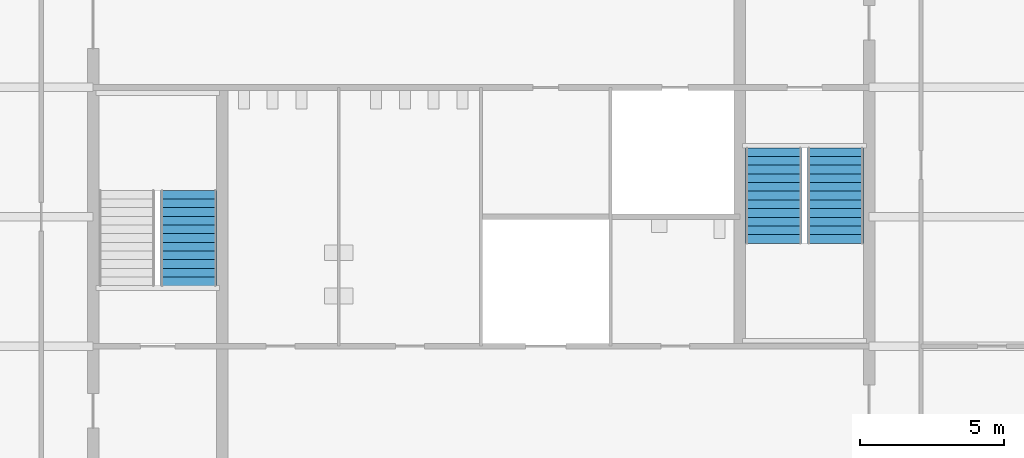
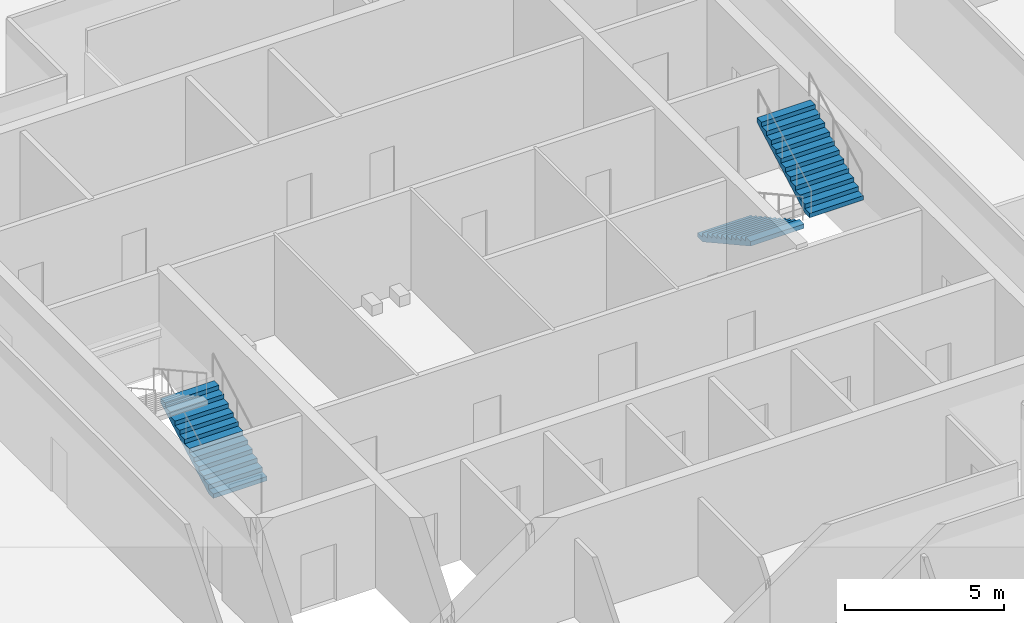
# One storey, part 12 of 14: 3 stair flights, 2 elements without a shape of their own.
"""IFC4 building model written with IfcOpenShell, lengths in metres."""

from ifc_helpers import new_model, si_unit, direction, frame, origin, place, context, subcontext, project, spatial, polyline, outline, extrude, material, type_object, element, aggregate, save


model = new_model("IFC4")

# Units and contexts
model_context = context("Model", 3, precision=1e-05, world=origin(), true_north=direction((0.0, 1.0)))
body_context = subcontext(model_context, "Body", "Model", "MODEL_VIEW")
ifc_project = project(units=[si_unit("LENGTHUNIT", "METRE"), si_unit("AREAUNIT", "SQUARE_METRE"), si_unit("VOLUMEUNIT", "CUBIC_METRE"), si_unit("PLANEANGLEUNIT", "RADIAN"), si_unit("MASSUNIT", "GRAM", prefix="KILO")], contexts=[model_context])

# Site, building, storey
site_placement = place(None, origin())
site = spatial("IfcSite", under=ifc_project, at=site_placement, CompositionType="ELEMENT")
building_placement = place(site_placement, origin())
building = spatial("IfcBuilding", under=site, at=building_placement, Name="Corais Broadcast Tower", CompositionType="ELEMENT")
storey_placement = place(building_placement, frame((0.0, 0.0, 230.60009765625)))
storey = spatial("IfcBuildingStorey", under=building, at=storey_placement, Name="L53", CompositionType="ELEMENT", Elevation=230.60009765625)

# Stair, stair flight
ifc_material_1 = material(Name="Concrete C30/37", Category="concrete")
stair_type = type_object("IfcStairType", Name="Half-turn stair 4000", PredefinedType="HALF_TURN_STAIR", material=ifc_material_1)
stair_1_placement = place(storey_placement, origin())
stair_1 = element("IfcStair", 1, at=stair_1_placement, inside=storey, type_object=stair_type, Name="Stair A L53", PredefinedType="HALF_TURN_STAIR")
ifc_material_2 = material(Name="Concrete C30/37", Category="concrete")
stair_flight_type = type_object("IfcStairFlightType", Name="Stair flight 4000", PredefinedType="STRAIGHT", material=ifc_material_2)
stair_flight_1_placement = place(storey_placement, frame((16.824951171875, 24.60009765625, 0.0), z_axis=(0.0, 0.0, 1.0), x_axis=(0.0, 1.0, 0.0)))
stair_flight_1 = element("IfcStairFlight", 2, at=stair_flight_1_placement, type_object=stair_flight_type, Name="STA flight 1", NumberOfRisers=12, NumberOfTreads=11, PredefinedType="STRAIGHT", RiserHeight=0.166666667, TreadLength=0.302, context=body_context, shape_type="SweptSolid", body=[
    extrude(outline(polyline([(0.0, 0.0), (0.0, 0.166748046875), (0.302001953125, 0.166748046875), (0.302001953125, 0.333251953125), (0.60400390625, 0.333251953125), (0.60400390625, 0.5), (0.906005859375, 0.5), (0.906005859375, 0.666748046875), (1.2080078125, 0.666748046875), (1.2080078125, 0.833251953125), (1.510009765625, 0.833251953125), (1.510009765625, 1.0), (1.81201171875, 1.0), (1.81201171875, 1.166748046875), (2.114013671875, 1.166748046875), (2.114013671875, 1.333251953125), (2.416015625, 1.333251953125), (2.416015625, 1.5), (2.718017578125, 1.5), (2.718017578125, 1.666748046875), (3.02001953125, 1.666748046875), (3.02001953125, 1.833251953125), (3.322021484375, 1.833251953125), (3.322021484375, 2.0), (3.322021484375, 1.662109375), (0.310302734375, 0.0), (0.0, 0.0)])), frame((0.0, 0.97509765625, 0.0), z_axis=(0.0, -1.0, 0.0), x_axis=(1.0, 0.0, 0.0)), (0.0, 0.0, 1.0), 1.949951171875),
])
aggregate(stair_1, [stair_flight_1])

# Stair, stair flights
stair_2_placement = place(storey_placement, origin())
stair_2 = element("IfcStair", 3, at=stair_2_placement, inside=storey, type_object=stair_type, Name="Stair B L53", PredefinedType="HALF_TURN_STAIR")
stair_flight_2_placement = place(storey_placement, frame((37.175048828125, 29.39990234375, 0.0), z_axis=(0.0, 0.0, 1.0), x_axis=(0.0, -1.0, 0.0)))
stair_flight_2 = element("IfcStairFlight", 4, at=stair_flight_2_placement, type_object=stair_flight_type, Name="STB flight 1", NumberOfRisers=12, NumberOfTreads=11, PredefinedType="STRAIGHT", RiserHeight=0.166666667, TreadLength=0.302, context=body_context, shape_type="SweptSolid", body=[
    extrude(outline(polyline([(0.0, 0.0), (0.0, 0.166748046875), (0.302001953125, 0.166748046875), (0.302001953125, 0.333251953125), (0.60400390625, 0.333251953125), (0.60400390625, 0.5), (0.906005859375, 0.5), (0.906005859375, 0.666748046875), (1.2080078125, 0.666748046875), (1.2080078125, 0.833251953125), (1.510009765625, 0.833251953125), (1.510009765625, 1.0), (1.81201171875, 1.0), (1.81201171875, 1.166748046875), (2.114013671875, 1.166748046875), (2.114013671875, 1.333251953125), (2.416015625, 1.333251953125), (2.416015625, 1.5), (2.718017578125, 1.5), (2.718017578125, 1.666748046875), (3.02001953125, 1.666748046875), (3.02001953125, 1.833251953125), (3.322021484375, 1.833251953125), (3.322021484375, 2.0), (3.322021484375, 1.662109375), (0.310302734375, 0.0), (0.0, 0.0)])), frame((0.0, 0.97509765625, 0.0), z_axis=(0.0, -1.0, 0.0), x_axis=(1.0, 0.0, 0.0)), (0.0, 0.0, 1.0), 1.949951171875),
])
stair_flight_3_placement = place(storey_placement, frame((39.324951171875, 26.077880859375, 2.0), z_axis=(0.0, 0.0, 1.0), x_axis=(0.0, 1.0, 0.0)))
stair_flight_3 = element("IfcStairFlight", 5, at=stair_flight_3_placement, type_object=stair_flight_type, Name="STB flight 2", NumberOfRisers=12, NumberOfTreads=11, PredefinedType="STRAIGHT", RiserHeight=0.166666667, TreadLength=0.302, context=body_context, shape_type="SweptSolid", body=[
    extrude(outline(polyline([(0.0, 0.0), (0.0, 0.166748046875), (0.302001953125, 0.166748046875), (0.302001953125, 0.333251953125), (0.60400390625, 0.333251953125), (0.60400390625, 0.5), (0.906005859375, 0.5), (0.906005859375, 0.666748046875), (1.2080078125, 0.666748046875), (1.2080078125, 0.833251953125), (1.510009765625, 0.833251953125), (1.510009765625, 1.0), (1.81201171875, 1.0), (1.81201171875, 1.166748046875), (2.114013671875, 1.166748046875), (2.114013671875, 1.333251953125), (2.416015625, 1.333251953125), (2.416015625, 1.5), (2.718017578125, 1.5), (2.718017578125, 1.666748046875), (3.02001953125, 1.666748046875), (3.02001953125, 1.833251953125), (3.322021484375, 1.833251953125), (3.322021484375, 2.0), (3.322021484375, 1.662109375), (0.310302734375, 0.0), (0.0, 0.0)])), frame((0.0, 0.97509765625, 0.0), z_axis=(0.0, -1.0, 0.0), x_axis=(1.0, 0.0, 0.0)), (0.0, 0.0, 1.0), 1.949951171875),
])
aggregate(stair_2, [stair_flight_2, stair_flight_3])

save(model, "model.ifc")
